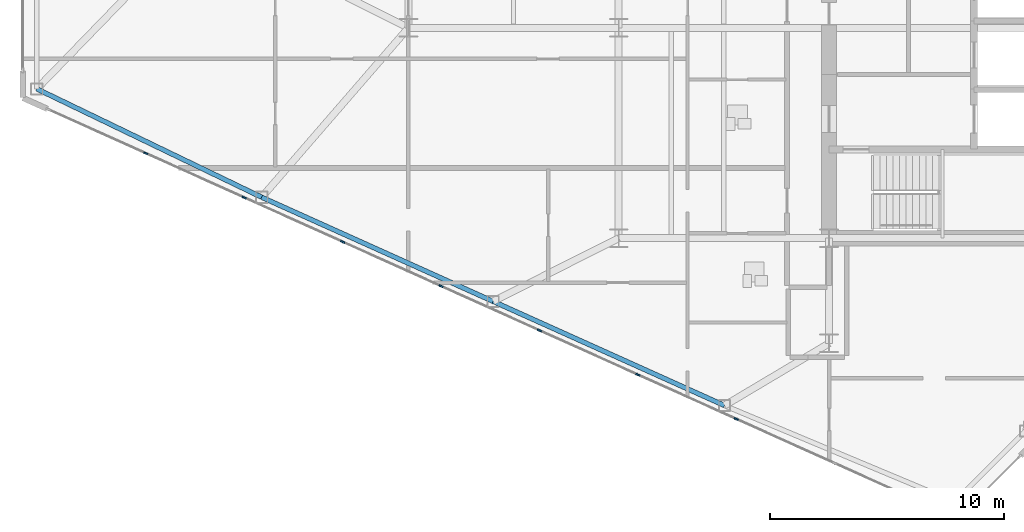
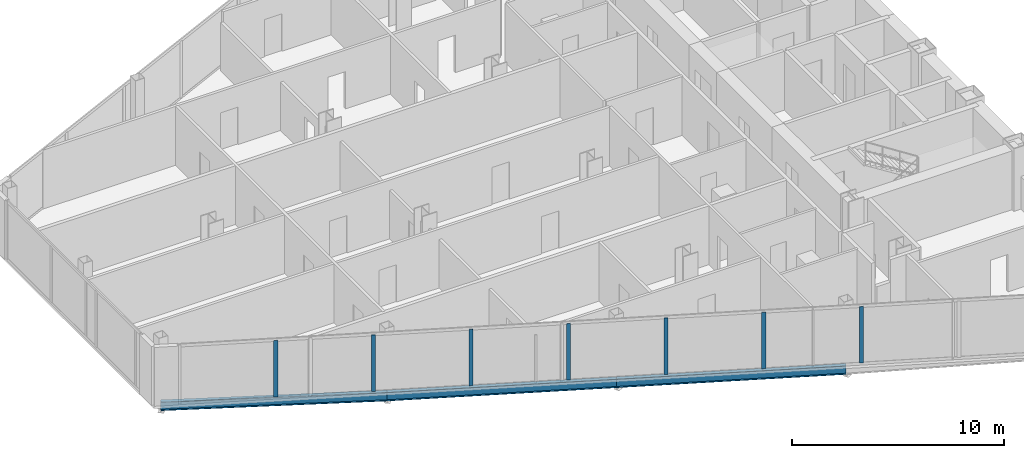
# One storey, part 3 of 27: 7 members, 3 beams, 1 element without a shape of its own.
"""IFC4 building model written with IfcOpenShell, lengths in metres."""

import ifcopenshell
import ifcopenshell.guid

model = None  # the IFC model being written
_history = None  # IfcOwnerHistory: only IFC2X3 demands one
_inside = {}  # id of a spatial element -> (the spatial element, [elements in it])
_under = {}  # id of a project, library or spatial element -> (it, [spatial elements below it])
_declared = {}  # id of a project -> (the project, [libraries it declares])
_typed = {}  # id of a type object -> (the type object, [elements of that type])
_made_of = {}  # id of a material, layer set ... -> (it, [elements and type objects made of it])


def new_model(schema):
    """Start an empty IFC model of exactly this schema.

    Asked for "IFC4X3", IfcOpenShell would pick the latest addendum, in which some entities
    have other attributes; the version numbers below select the first issue.
    IFC2X3 requires an IfcOwnerHistory on every rooted entity: one is made here for all.
    """
    global model, _history
    if schema == "IFC4X3":
        model = ifcopenshell.file(schema_version=(4, 3, 0, 0))
    else:
        model = ifcopenshell.file(schema=schema)
    _inside.clear()
    _under.clear()
    _declared.clear()
    _typed.clear()
    _made_of.clear()
    _history = None
    if model.schema == "IFC2X3":
        org = make("IfcOrganization", Name="unknown")
        user = make(
            "IfcPersonAndOrganization",
            ThePerson=make("IfcPerson", FamilyName="unknown"),
            TheOrganization=org,
        )
        app = make(
            "IfcApplication",
            ApplicationDeveloper=org,
            Version="unknown",
            ApplicationFullName="unknown",
            ApplicationIdentifier="unknown",
        )
        _history = make(
            "IfcOwnerHistory",
            OwningUser=user,
            OwningApplication=app,
            ChangeAction="ADDED",
            CreationDate=0,
        )
    return model


def make(cls, **values):
    """One entity of the class cls with the attributes given. An attribute that is None is left unset."""
    return model.create_entity(
        cls, **{name: value for name, value in values.items() if value is not None}
    )


def rooted(cls, **values):
    """An entity with a GlobalId (a new one), such as an element, a storey or a relation."""
    return make(cls, GlobalId=ifcopenshell.guid.new(), OwnerHistory=_history, **values)


def si_unit(unit_type, name, prefix=None):
    """IfcSIUnit, for example si_unit("LENGTHUNIT", "METRE", prefix="MILLI")."""
    return make("IfcSIUnit", UnitType=unit_type, Prefix=prefix, Name=name)


def assignment(units):
    """IfcUnitAssignment: the units of a project."""
    return None if units is None else make("IfcUnitAssignment", Units=units)


def point(xyz):
    """IfcCartesianPoint."""
    return None if xyz is None else make("IfcCartesianPoint", Coordinates=xyz)


def direction(xyz):
    """IfcDirection."""
    return None if xyz is None else make("IfcDirection", DirectionRatios=xyz)


def frame(location, z_axis=None, x_axis=None):
    """IfcAxis2Placement3D, a coordinate frame: its origin and axes. An axis left out is left unset."""
    return make(
        "IfcAxis2Placement3D",
        Location=point(location),
        Axis=direction(z_axis),
        RefDirection=direction(x_axis),
    )


def frame_2d(location, x_axis=None):
    """IfcAxis2Placement2D, a coordinate frame in the plane: its origin and x axis."""
    return make(
        "IfcAxis2Placement2D", Location=point(location), RefDirection=direction(x_axis)
    )


def origin():
    """The frame at (0, 0, 0) with its axes left unset."""
    return frame((0.0, 0.0, 0.0))


def origin_2d():
    """The frame at (0, 0) in the plane with its x axis left unset."""
    return frame_2d((0.0, 0.0))


def place(relative_to, where):
    """IfcLocalPlacement: puts the frame where relative to a parent placement (None: the world)."""
    return make(
        "IfcLocalPlacement", PlacementRelTo=relative_to, RelativePlacement=where
    )


def context(
    kind, dimensions, precision=None, world=None, true_north=None, identifier=None
):
    """IfcGeometricRepresentationContext, for example the 3D "Model" context."""
    return make(
        "IfcGeometricRepresentationContext",
        ContextIdentifier=identifier,
        ContextType=kind,
        CoordinateSpaceDimension=dimensions,
        Precision=precision,
        WorldCoordinateSystem=world,
        TrueNorth=true_north,
    )


def subcontext(parent, identifier, kind, view, scale=None):
    """IfcGeometricRepresentationSubContext, for example "Body" below "Model"."""
    return make(
        "IfcGeometricRepresentationSubContext",
        ContextIdentifier=identifier,
        ContextType=kind,
        ParentContext=parent,
        TargetScale=scale,
        TargetView=view,
    )


def project(units=None, contexts=None):
    """IfcProject with its units and contexts."""
    return rooted(
        "IfcProject",
        Name="project",
        RepresentationContexts=contexts,
        UnitsInContext=assignment(units),
    )


def spatial(cls, under=None, at=None, **own):
    """A site, building, storey or space (cls), placed at a placement, below another one or the project."""
    s = rooted(cls, ObjectPlacement=at, **own)
    if under is not None:
        _under.setdefault(under.id(), (under, []))[1].append(s)
    return s


def profile(cls, at=None, kind="AREA", **sizes):
    """A parametric profile (cls). Its sizes go by their IFC names, for example OverallWidth=200.0."""
    return make(cls, ProfileType=kind, Position=at, **sizes)


def rectangle(**sizes):
    """IfcRectangleProfileDef."""
    return profile("IfcRectangleProfileDef", **sizes)


def i_section(**sizes):
    """IfcIShapeProfileDef."""
    return profile("IfcIShapeProfileDef", **sizes)


def extrude(swept, where, along, depth):
    """IfcExtrudedAreaSolid: the profile swept, set in the frame where, extruded along a direction by depth."""
    return make(
        "IfcExtrudedAreaSolid",
        SweptArea=swept,
        Position=where,
        ExtrudedDirection=direction(along),
        Depth=depth,
    )


def shape(context_of_items, identifier, shape_type, items):
    """IfcShapeRepresentation: the items that make up one representation, for example the "Body"."""
    return make(
        "IfcShapeRepresentation",
        ContextOfItems=context_of_items,
        RepresentationIdentifier=identifier,
        RepresentationType=shape_type,
        Items=items,
    )


def source(mapping_origin, context_of_items, identifier, shape_type, items):
    """IfcRepresentationMap: a shape defined once, which mapped items show again and again."""
    return make(
        "IfcRepresentationMap",
        MappingOrigin=mapping_origin,
        MappedRepresentation=shape(context_of_items, identifier, shape_type, items),
    )


def transform(
    local_origin,
    x_axis=None,
    y_axis=None,
    z_axis=None,
    scale=None,
    scale2=None,
    scale3=None,
    uniform=True,
):
    """IfcCartesianTransformationOperator3D, or its non-uniform kind. x_axis, y_axis, z_axis: its Axis1, 2, 3."""
    if uniform:
        return make(
            "IfcCartesianTransformationOperator3D",
            Axis1=direction(x_axis),
            Axis2=direction(y_axis),
            LocalOrigin=point(local_origin),
            Scale=scale,
            Axis3=direction(z_axis),
        )
    return make(
        "IfcCartesianTransformationOperator3DnonUniform",
        Axis1=direction(x_axis),
        Axis2=direction(y_axis),
        LocalOrigin=point(local_origin),
        Scale=scale,
        Axis3=direction(z_axis),
        Scale2=scale2,
        Scale3=scale3,
    )


def mapped(mapping_source, mapping_target):
    """IfcMappedItem: shows the shape of a source again, moved by a transform."""
    return make(
        "IfcMappedItem", MappingSource=mapping_source, MappingTarget=mapping_target
    )


def material(Name=None, Category=None):
    """IfcMaterial."""
    return make("IfcMaterial", Name=Name, Category=Category)


def layer(
    of_material, thickness, ventilated=None, Name=None, Category=None, Priority=None
):
    """IfcMaterialLayer: one layer of a wall or slab, of a material (None: an air gap)."""
    return make(
        "IfcMaterialLayer",
        Material=of_material,
        LayerThickness=thickness,
        IsVentilated=ventilated,
        Name=Name,
        Category=Category,
        Priority=Priority,
    )


def layer_set(layers, Name=None):
    """IfcMaterialLayerSet."""
    return make("IfcMaterialLayerSet", MaterialLayers=layers, LayerSetName=Name)


def material_profile(
    of_material, cross_section, Name=None, Category=None, Priority=None
):
    """IfcMaterialProfile: a cross section and its material."""
    return make(
        "IfcMaterialProfile",
        Name=Name,
        Material=of_material,
        Profile=cross_section,
        Priority=Priority,
        Category=Category,
    )


def profile_set(profiles, Name=None, composite=None):
    """IfcMaterialProfileSet."""
    return make(
        "IfcMaterialProfileSet",
        Name=Name,
        MaterialProfiles=profiles,
        CompositeProfile=composite,
    )


def made_of(thing, what):
    """Note that an element or type object is made of a material, layer set ...; save() writes the relation."""
    if what is not None:
        _made_of.setdefault(what.id(), (what, []))[1].append(thing)
    return thing


def type_object(cls, material=None, **own):
    """A type object (cls), such as IfcWallType, which elements share."""
    return made_of(rooted(cls, **own), material)


def type_shapes(of_type, sources):
    """Give a type object the sources (RepresentationMaps) that its elements show as mapped items."""
    of_type.RepresentationMaps = sources


def element(
    cls,
    number,
    at=None,
    inside=None,
    cuts=None,
    type_object=None,
    material=None,
    context=None,
    identifier="Body",
    shape_type=None,
    held_by="IfcProductDefinitionShape",
    body=None,
    shapes=None,
    **own,
):
    """One element of the class cls, such as IfcWall. Its Tag is "e" and its number.

    at: its placement. inside: the storey or other place that contains it. cuts: it is an
    opening in that element (IfcRelVoidsElement). A single representation is given by context,
    identifier, shape_type and body (its items); several are given by shapes. held_by: the class
    of the entity that holds the representations. save() writes the other relations.
    """
    e = rooted(cls, Tag="e%d" % number, ObjectPlacement=at, **own)
    if body is not None:
        shapes = [shape(context, identifier, shape_type, body)]
    if shapes is not None:
        e.Representation = make(held_by, Representations=shapes)
    if inside is not None:
        _inside.setdefault(inside.id(), (inside, []))[1].append(e)
    if cuts is not None:
        rooted(
            "IfcRelVoidsElement", RelatingBuildingElement=cuts, RelatedOpeningElement=e
        )
    if type_object is not None:
        _typed.setdefault(type_object.id(), (type_object, []))[1].append(e)
    return made_of(e, material)


def aggregate(whole, parts):
    """IfcRelAggregates: a whole, such as a stair, and the parts it consists of."""
    return rooted("IfcRelAggregates", RelatingObject=whole, RelatedObjects=parts)


def save(model, path):
    """Write the relations noted so far, then the file.

    IfcRelAggregates (storeys below a building ...), IfcRelContainedInSpatialStructure (elements
    in a storey), IfcRelDefinesByType, IfcRelAssociatesMaterial and IfcRelDeclares: one each for
    every whole, place, type object, material and project.
    """
    for whole, parts in _under.values():
        aggregate(whole, parts)
    for where, things in _inside.values():
        rooted(
            "IfcRelContainedInSpatialStructure",
            RelatedElements=things,
            RelatingStructure=where,
        )
    for kind, things in _typed.values():
        rooted("IfcRelDefinesByType", RelatedObjects=things, RelatingType=kind)
    for what, things in _made_of.values():
        rooted("IfcRelAssociatesMaterial", RelatedObjects=things, RelatingMaterial=what)
    for by, libraries in _declared.values():
        rooted("IfcRelDeclares", RelatingContext=by, RelatedDefinitions=libraries)
    model.write(path)


model = new_model("IFC4")

# Units and contexts
model_context = context("Model", 3, precision=1e-05, world=origin(), true_north=direction((0.0, 1.0)))
body_context = subcontext(model_context, "Body", "Model", "MODEL_VIEW")
ifc_project = project(units=[si_unit("LENGTHUNIT", "METRE"), si_unit("AREAUNIT", "SQUARE_METRE"), si_unit("VOLUMEUNIT", "CUBIC_METRE"), si_unit("PLANEANGLEUNIT", "RADIAN"), si_unit("MASSUNIT", "GRAM", prefix="KILO")], contexts=[model_context])

# Site, building, storey
site_placement = place(None, origin())
site = spatial("IfcSite", under=ifc_project, at=site_placement, CompositionType="ELEMENT")
building_placement = place(site_placement, origin())
building = spatial("IfcBuilding", under=site, at=building_placement, Name="Seokmaru Belvedere", CompositionType="ELEMENT")
storey_placement = place(building_placement, frame((0.0, 0.0, 106.800048828125)))
storey = spatial("IfcBuildingStorey", under=building, at=storey_placement, Name="L28", CompositionType="ELEMENT", Elevation=106.800048828125)

# Beams
ifc_material_1 = material(Name="Steel SM355 (355 MPa)", Category="steel")
ifc_material_profile_1 = material_profile(ifc_material_1, i_section(OverallWidth=0.199951171875, OverallDepth=0.5, WebThickness=0.010009765625, FlangeThickness=0.01611328125, at=origin_2d()), Name="H-500x200x10x16")
ifc_profile_set_1 = profile_set([ifc_material_profile_1], Name="Steel SM355 (355 MPa)")
beam_type = type_object("IfcBeamType", Name="Perimeter Spandrel Beam H-500", PredefinedType="SPANDREL", material=ifc_profile_set_1)
shared_shape_1 = source(origin(), body_context, "Body", "SweptSolid", [
    extrude(i_section(OverallWidth=0.199951171875, OverallDepth=0.5, WebThickness=0.010009765625, FlangeThickness=0.01611328125, at=origin_2d()), origin(), (0.0, 0.0, 1.0), 10.85888671875),
])
for number, where, z_axis, x_axis, name in (
    (1, (-40.97265625, -20.661376953125, -0.469970703125), (-0.911921505175, 0.410364677329, 0.0), (-0.410364677329, -0.911921505175, 0.0), "L28 W Faceted Flank Spandrel S-2"),
    (2, (-50.875, -16.205322265625, -0.469970703125), (-0.911925291223, 0.410356263785, 0.0), (-0.410356263785, -0.911925291223, 0.0), "L28 W Faceted Flank Spandrel S-3"),
):
    element("IfcBeam", number, at=place(storey_placement, frame(where, z_axis=z_axis, x_axis=x_axis)), inside=storey, type_object=beam_type, Name=name, PredefinedType="SPANDREL", context=body_context, shape_type="MappedRepresentation", body=[
        mapped(shared_shape_1, transform((0.0, 0.0, 0.0), scale=1.0)),
    ])
shared_shape_2 = source(origin(), body_context, "Body", "SweptSolid", [
    extrude(i_section(OverallWidth=0.199951171875, OverallDepth=0.5, WebThickness=0.010009765625, FlangeThickness=0.01611328125, at=origin_2d()), origin(), (0.0, 0.0, 1.0), 10.681396484375),
])
type_shapes(beam_type, [shared_shape_1, shared_shape_2])
beam_placement = place(storey_placement, frame((-60.777587890625, -11.749267578125, -0.469970703125), z_axis=(-0.900846426616, 0.434137899352, 0.0), x_axis=(-0.434137899352, -0.900846426616, 0.0)))
element("IfcBeam", 3, at=beam_placement, inside=storey, type_object=beam_type, Name="L28 W Faceted Flank Spandrel S-4", PredefinedType="SPANDREL", context=body_context, shape_type="MappedRepresentation", body=[
    mapped(shared_shape_2, transform((0.0, 0.0, 0.0), scale=1.0)),
])

# Curtain wall, members
ifc_material_2 = material(Name="Bronze Triple Insulating Glass", Category="glass")
ifc_layer = layer(ifc_material_2, 0.195068359375)
ifc_layer_set = layer_set([ifc_layer], Name="Bronze Triple Insulating Glass")
curtain_wall_type = type_object("IfcCurtainWallType", Name="Lower-Mid Tapered Curtain Wall System CW-3", PredefinedType="NOTDEFINED", material=ifc_layer_set)
curtain_wall_placement = place(storey_placement, origin())
curtain_wall = element("IfcCurtainWall", 4, at=curtain_wall_placement, inside=storey, type_object=curtain_wall_type, Name="L28 Curtain Wall WF5", PredefinedType="NOTDEFINED")
ifc_material_3 = material(Name="Anodised Bronze Aluminium", Category="aluminium")
ifc_material_profile_2 = material_profile(ifc_material_3, rectangle(XDim=0.070068359375, YDim=0.195068359375, at=origin_2d()), Name="CW-M-70x195")
ifc_profile_set_2 = profile_set([ifc_material_profile_2], Name="Anodised Bronze Aluminium")
member_type = type_object("IfcMemberType", Name="Bronze Unitised Mullion 70x195", PredefinedType="MULLION", material=ifc_profile_set_2)
shared_shape_3 = source(origin(), body_context, "Body", "SweptSolid", [
    extrude(rectangle(XDim=0.070068359375, YDim=0.195068359375, at=origin_2d()), origin(), (0.0, 0.0, 1.0), 3.239990234375),
])
type_shapes(member_type, [shared_shape_3])
member_1_placement = place(storey_placement, frame((-65.739990234375, -9.866943359375, 0.070068359375), z_axis=(0.0, 0.0, 1.0), x_axis=(0.41036554765, 0.91192111353, 0.0)))
member_1 = element("IfcMember", 5, at=member_1_placement, type_object=member_type, Name="CW:L28:WF5 Mullion 2", PredefinedType="MULLION", context=body_context, shape_type="MappedRepresentation", body=[
    mapped(shared_shape_3, transform((0.0, 0.0, 0.0), scale=1.0)),
])
member_2_placement = place(storey_placement, frame((-61.528564453125, -11.76220703125, 0.070068359375), z_axis=(0.0, 0.0, 1.0), x_axis=(0.41036554765, 0.91192111353, 0.0)))
member_2 = element("IfcMember", 6, at=member_2_placement, type_object=member_type, Name="CW:L28:WF5 Mullion 3", PredefinedType="MULLION", context=body_context, shape_type="MappedRepresentation", body=[
    mapped(shared_shape_3, transform((0.0, 0.0, 0.0), scale=1.0)),
])
member_3_placement = place(storey_placement, frame((-57.317138671875, -13.6572265625, 0.070068359375), z_axis=(0.0, 0.0, 1.0), x_axis=(0.41036554765, 0.91192111353, 0.0)))
member_3 = element("IfcMember", 7, at=member_3_placement, type_object=member_type, Name="CW:L28:WF5 Mullion 4", PredefinedType="MULLION", context=body_context, shape_type="MappedRepresentation", body=[
    mapped(shared_shape_3, transform((0.0, 0.0, 0.0), scale=1.0)),
])
member_4_placement = place(storey_placement, frame((-53.105712890625, -15.552490234375, 0.070068359375), z_axis=(0.0, 0.0, 1.0), x_axis=(0.41036554765, 0.91192111353, 0.0)))
member_4 = element("IfcMember", 8, at=member_4_placement, type_object=member_type, Name="CW:L28:WF5 Mullion 5", PredefinedType="MULLION", context=body_context, shape_type="MappedRepresentation", body=[
    mapped(shared_shape_3, transform((0.0, 0.0, 0.0), scale=1.0)),
])
member_5_placement = place(storey_placement, frame((-48.894287109375, -17.447509765625, 0.070068359375), z_axis=(0.0, 0.0, 1.0), x_axis=(0.41036554765, 0.91192111353, 0.0)))
member_5 = element("IfcMember", 9, at=member_5_placement, type_object=member_type, Name="CW:L28:WF5 Mullion 6", PredefinedType="MULLION", context=body_context, shape_type="MappedRepresentation", body=[
    mapped(shared_shape_3, transform((0.0, 0.0, 0.0), scale=1.0)),
])
member_6_placement = place(storey_placement, frame((-44.682861328125, -19.3427734375, 0.070068359375), z_axis=(0.0, 0.0, 1.0), x_axis=(0.41036554765, 0.91192111353, 0.0)))
member_6 = element("IfcMember", 10, at=member_6_placement, type_object=member_type, Name="CW:L28:WF5 Mullion 7", PredefinedType="MULLION", context=body_context, shape_type="MappedRepresentation", body=[
    mapped(shared_shape_3, transform((0.0, 0.0, 0.0), scale=1.0)),
])
member_7_placement = place(storey_placement, frame((-40.471435546875, -21.23779296875, 0.070068359375), z_axis=(0.0, 0.0, 1.0), x_axis=(0.41036554765, 0.91192111353, 0.0)))
member_7 = element("IfcMember", 11, at=member_7_placement, type_object=member_type, Name="CW:L28:WF5 Mullion 8", PredefinedType="MULLION", context=body_context, shape_type="MappedRepresentation", body=[
    mapped(shared_shape_3, transform((0.0, 0.0, 0.0), scale=1.0)),
])
aggregate(curtain_wall, [member_1, member_2, member_3, member_4, member_5, member_6, member_7])

save(model, "model.ifc")
